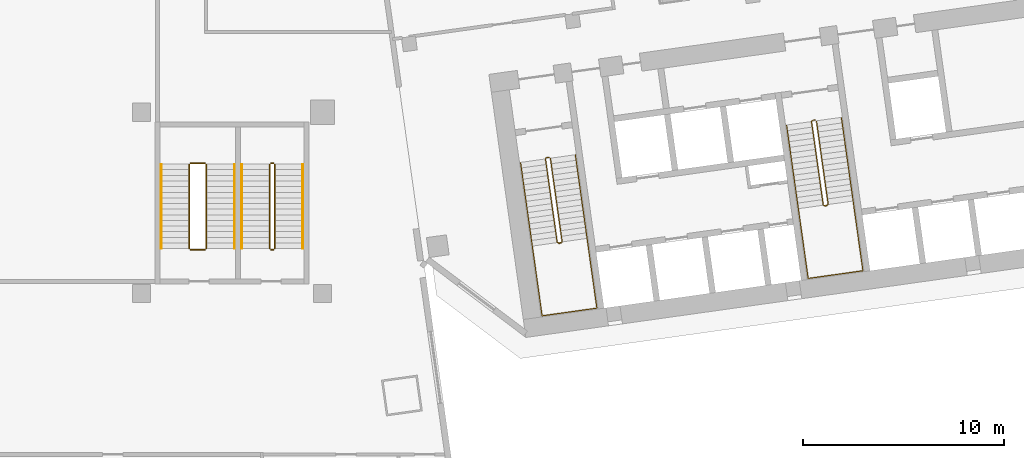
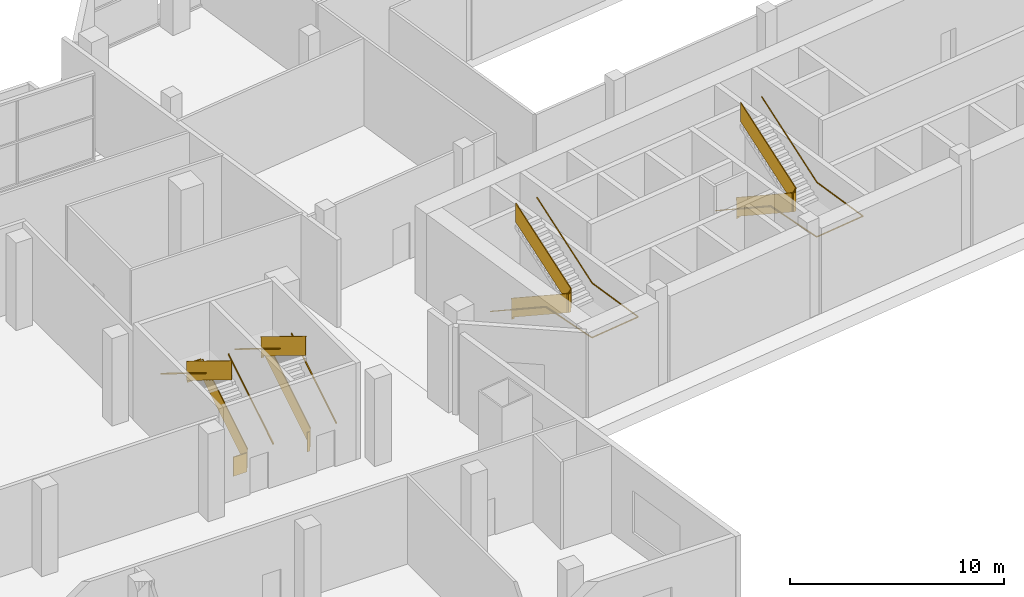
# One storey, part 22 of 23: 16 railings.
"""IFC4 building model written with IfcOpenShell, lengths in metres."""

import ifcopenshell
import ifcopenshell.guid

model = None  # the IFC model being written
_history = None  # IfcOwnerHistory: only IFC2X3 demands one
_inside = {}  # id of a spatial element -> (the spatial element, [elements in it])
_under = {}  # id of a project, library or spatial element -> (it, [spatial elements below it])
_declared = {}  # id of a project -> (the project, [libraries it declares])
_typed = {}  # id of a type object -> (the type object, [elements of that type])
_made_of = {}  # id of a material, layer set ... -> (it, [elements and type objects made of it])


def new_model(schema):
    """Start an empty IFC model of exactly this schema.

    Asked for "IFC4X3", IfcOpenShell would pick the latest addendum, in which some entities
    have other attributes; the version numbers below select the first issue.
    IFC2X3 requires an IfcOwnerHistory on every rooted entity: one is made here for all.
    """
    global model, _history
    if schema == "IFC4X3":
        model = ifcopenshell.file(schema_version=(4, 3, 0, 0))
    else:
        model = ifcopenshell.file(schema=schema)
    _inside.clear()
    _under.clear()
    _declared.clear()
    _typed.clear()
    _made_of.clear()
    _history = None
    if model.schema == "IFC2X3":
        org = make("IfcOrganization", Name="unknown")
        user = make(
            "IfcPersonAndOrganization",
            ThePerson=make("IfcPerson", FamilyName="unknown"),
            TheOrganization=org,
        )
        app = make(
            "IfcApplication",
            ApplicationDeveloper=org,
            Version="unknown",
            ApplicationFullName="unknown",
            ApplicationIdentifier="unknown",
        )
        _history = make(
            "IfcOwnerHistory",
            OwningUser=user,
            OwningApplication=app,
            ChangeAction="ADDED",
            CreationDate=0,
        )
    return model


def make(cls, **values):
    """One entity of the class cls with the attributes given. An attribute that is None is left unset."""
    return model.create_entity(
        cls, **{name: value for name, value in values.items() if value is not None}
    )


def rooted(cls, **values):
    """An entity with a GlobalId (a new one), such as an element, a storey or a relation."""
    return make(cls, GlobalId=ifcopenshell.guid.new(), OwnerHistory=_history, **values)


def si_unit(unit_type, name, prefix=None):
    """IfcSIUnit, for example si_unit("LENGTHUNIT", "METRE", prefix="MILLI")."""
    return make("IfcSIUnit", UnitType=unit_type, Prefix=prefix, Name=name)


def assignment(units):
    """IfcUnitAssignment: the units of a project."""
    return None if units is None else make("IfcUnitAssignment", Units=units)


def point(xyz):
    """IfcCartesianPoint."""
    return None if xyz is None else make("IfcCartesianPoint", Coordinates=xyz)


def direction(xyz):
    """IfcDirection."""
    return None if xyz is None else make("IfcDirection", DirectionRatios=xyz)


def frame(location, z_axis=None, x_axis=None):
    """IfcAxis2Placement3D, a coordinate frame: its origin and axes. An axis left out is left unset."""
    return make(
        "IfcAxis2Placement3D",
        Location=point(location),
        Axis=direction(z_axis),
        RefDirection=direction(x_axis),
    )


def frame_2d(location, x_axis=None):
    """IfcAxis2Placement2D, a coordinate frame in the plane: its origin and x axis."""
    return make(
        "IfcAxis2Placement2D", Location=point(location), RefDirection=direction(x_axis)
    )


def origin():
    """The frame at (0, 0, 0) with its axes left unset."""
    return frame((0.0, 0.0, 0.0))


def origin_2d():
    """The frame at (0, 0) in the plane with its x axis left unset."""
    return frame_2d((0.0, 0.0))


def place(relative_to, where):
    """IfcLocalPlacement: puts the frame where relative to a parent placement (None: the world)."""
    return make(
        "IfcLocalPlacement", PlacementRelTo=relative_to, RelativePlacement=where
    )


def context(
    kind, dimensions, precision=None, world=None, true_north=None, identifier=None
):
    """IfcGeometricRepresentationContext, for example the 3D "Model" context."""
    return make(
        "IfcGeometricRepresentationContext",
        ContextIdentifier=identifier,
        ContextType=kind,
        CoordinateSpaceDimension=dimensions,
        Precision=precision,
        WorldCoordinateSystem=world,
        TrueNorth=true_north,
    )


def subcontext(parent, identifier, kind, view, scale=None):
    """IfcGeometricRepresentationSubContext, for example "Body" below "Model"."""
    return make(
        "IfcGeometricRepresentationSubContext",
        ContextIdentifier=identifier,
        ContextType=kind,
        ParentContext=parent,
        TargetScale=scale,
        TargetView=view,
    )


def project(units=None, contexts=None):
    """IfcProject with its units and contexts."""
    return rooted(
        "IfcProject",
        Name="project",
        RepresentationContexts=contexts,
        UnitsInContext=assignment(units),
    )


def spatial(cls, under=None, at=None, **own):
    """A site, building, storey or space (cls), placed at a placement, below another one or the project."""
    s = rooted(cls, ObjectPlacement=at, **own)
    if under is not None:
        _under.setdefault(under.id(), (under, []))[1].append(s)
    return s


def profile(cls, at=None, kind="AREA", **sizes):
    """A parametric profile (cls). Its sizes go by their IFC names, for example OverallWidth=200.0."""
    return make(cls, ProfileType=kind, Position=at, **sizes)


def rectangle(**sizes):
    """IfcRectangleProfileDef."""
    return profile("IfcRectangleProfileDef", **sizes)


def extrude(swept, where, along, depth):
    """IfcExtrudedAreaSolid: the profile swept, set in the frame where, extruded along a direction by depth."""
    return make(
        "IfcExtrudedAreaSolid",
        SweptArea=swept,
        Position=where,
        ExtrudedDirection=direction(along),
        Depth=depth,
    )


def shape(context_of_items, identifier, shape_type, items):
    """IfcShapeRepresentation: the items that make up one representation, for example the "Body"."""
    return make(
        "IfcShapeRepresentation",
        ContextOfItems=context_of_items,
        RepresentationIdentifier=identifier,
        RepresentationType=shape_type,
        Items=items,
    )


def material(Name=None, Category=None):
    """IfcMaterial."""
    return make("IfcMaterial", Name=Name, Category=Category)


def made_of(thing, what):
    """Note that an element or type object is made of a material, layer set ...; save() writes the relation."""
    if what is not None:
        _made_of.setdefault(what.id(), (what, []))[1].append(thing)
    return thing


def type_object(cls, material=None, **own):
    """A type object (cls), such as IfcWallType, which elements share."""
    return made_of(rooted(cls, **own), material)


def element(
    cls,
    number,
    at=None,
    inside=None,
    cuts=None,
    type_object=None,
    material=None,
    context=None,
    identifier="Body",
    shape_type=None,
    held_by="IfcProductDefinitionShape",
    body=None,
    shapes=None,
    **own,
):
    """One element of the class cls, such as IfcWall. Its Tag is "e" and its number.

    at: its placement. inside: the storey or other place that contains it. cuts: it is an
    opening in that element (IfcRelVoidsElement). A single representation is given by context,
    identifier, shape_type and body (its items); several are given by shapes. held_by: the class
    of the entity that holds the representations. save() writes the other relations.
    """
    e = rooted(cls, Tag="e%d" % number, ObjectPlacement=at, **own)
    if body is not None:
        shapes = [shape(context, identifier, shape_type, body)]
    if shapes is not None:
        e.Representation = make(held_by, Representations=shapes)
    if inside is not None:
        _inside.setdefault(inside.id(), (inside, []))[1].append(e)
    if cuts is not None:
        rooted(
            "IfcRelVoidsElement", RelatingBuildingElement=cuts, RelatedOpeningElement=e
        )
    if type_object is not None:
        _typed.setdefault(type_object.id(), (type_object, []))[1].append(e)
    return made_of(e, material)


def aggregate(whole, parts):
    """IfcRelAggregates: a whole, such as a stair, and the parts it consists of."""
    return rooted("IfcRelAggregates", RelatingObject=whole, RelatedObjects=parts)


def save(model, path):
    """Write the relations noted so far, then the file.

    IfcRelAggregates (storeys below a building ...), IfcRelContainedInSpatialStructure (elements
    in a storey), IfcRelDefinesByType, IfcRelAssociatesMaterial and IfcRelDeclares: one each for
    every whole, place, type object, material and project.
    """
    for whole, parts in _under.values():
        aggregate(whole, parts)
    for where, things in _inside.values():
        rooted(
            "IfcRelContainedInSpatialStructure",
            RelatedElements=things,
            RelatingStructure=where,
        )
    for kind, things in _typed.values():
        rooted("IfcRelDefinesByType", RelatedObjects=things, RelatingType=kind)
    for what, things in _made_of.values():
        rooted("IfcRelAssociatesMaterial", RelatedObjects=things, RelatingMaterial=what)
    for by, libraries in _declared.values():
        rooted("IfcRelDeclares", RelatingContext=by, RelatedDefinitions=libraries)
    model.write(path)


model = new_model("IFC4")

# Units and contexts
model_context = context("Model", 3, precision=1e-05, world=origin(), true_north=direction((0.0, 1.0)))
body_context = subcontext(model_context, "Body", "Model", "MODEL_VIEW")
ifc_project = project(units=[si_unit("LENGTHUNIT", "METRE"), si_unit("AREAUNIT", "SQUARE_METRE"), si_unit("VOLUMEUNIT", "CUBIC_METRE"), si_unit("PLANEANGLEUNIT", "RADIAN"), si_unit("MASSUNIT", "GRAM", prefix="KILO")], contexts=[model_context])

# Site, building, storey
site_placement = place(None, origin())
site = spatial("IfcSite", under=ifc_project, at=site_placement, CompositionType="ELEMENT")
building_placement = place(site_placement, origin())
building = spatial("IfcBuilding", under=site, at=building_placement, Name="Mirante Cascada Hotel Towers", CompositionType="ELEMENT")
storey_placement = place(building_placement, frame((0.0, 0.0, 29.0)))
storey = spatial("IfcBuildingStorey", under=building, at=storey_placement, Name="L04", CompositionType="ELEMENT", Elevation=29.0)

# Railings
ifc_material_1 = material(Name="Painted steel", Category="steel")
railing_type_1 = type_object("IfcRailingType", Name="Podium stair guard 1100 steel balustrade", PredefinedType="GUARDRAIL", material=ifc_material_1)
railing_1_placement = place(storey_placement, frame((24.625, -15.775, 0.1719)))
element("IfcRailing", 1, at=railing_1_placement, inside=storey, type_object=railing_type_1, Name="L04 PS2 stair guard 1", PredefinedType="GUARDRAIL", context=body_context, shape_type="SweptSolid", body=[
    extrude(rectangle(XDim=0.048, YDim=0.048, at=origin_2d()), frame((0.0, 0.0, 1.076), z_axis=(0.0, 1.0, 0.0), x_axis=(-1.0, 0.0, 0.0)), (0.0, 0.5231382, 0.8522479), 4.9281),
    extrude(rectangle(XDim=0.02, YDim=1.052, at=origin_2d()), frame((0.0, 0.0, 0.526), z_axis=(0.0, 1.0, 0.0), x_axis=(-1.0, 0.0, 0.0)), (0.0, 0.5231382, 0.8522479), 4.9281),
])
railing_2_placement = place(storey_placement, frame((24.575, -11.525, 2.75)))
element("IfcRailing", 2, at=railing_2_placement, inside=storey, type_object=railing_type_1, Name="L04 PS2 stair guard 2", PredefinedType="GUARDRAIL", context=body_context, shape_type="SweptSolid", body=[
    extrude(rectangle(XDim=0.048, YDim=0.048, at=origin_2d()), frame((0.0, 0.0, 1.076), z_axis=(-1.0, 0.0, 0.0), x_axis=(0.0, -1.0, 0.0)), (0.0, 0.0, 1.0), 0.15),
    extrude(rectangle(XDim=0.02, YDim=1.052, at=origin_2d()), frame((0.0, 0.0, 0.526), z_axis=(-1.0, 0.0, 0.0), x_axis=(0.0, -1.0, 0.0)), (0.0, 0.0, 1.0), 0.15),
])
railing_3_placement = place(storey_placement, frame((24.375, -11.575, 2.9219)))
element("IfcRailing", 3, at=railing_3_placement, inside=storey, type_object=railing_type_1, Name="L04 PS2 stair guard 3", PredefinedType="GUARDRAIL", context=body_context, shape_type="SweptSolid", body=[
    extrude(rectangle(XDim=0.048, YDim=0.048, at=origin_2d()), frame((0.0, 0.0, 1.076), z_axis=(0.0, -1.0, 0.0), x_axis=(1.0, 0.0, 0.0)), (0.0, 0.5231382, 0.8522479), 4.9281),
    extrude(rectangle(XDim=0.02, YDim=1.052, at=origin_2d()), frame((0.0, 0.0, 0.526), z_axis=(0.0, -1.0, 0.0), x_axis=(1.0, 0.0, 0.0)), (0.0, 0.5231382, 0.8522479), 4.9281),
])
railing_4_placement = place(storey_placement, frame((24.575, -15.825, 0.0)))
element("IfcRailing", 4, at=railing_4_placement, inside=storey, type_object=railing_type_1, Name="L04 PS2 stair guard 4", PredefinedType="GUARDRAIL", context=body_context, shape_type="SweptSolid", body=[
    extrude(rectangle(XDim=0.048, YDim=0.048, at=origin_2d()), frame((0.0, 0.0, 1.076), z_axis=(-1.0, 0.0, 0.0), x_axis=(0.0, -1.0, 0.0)), (0.0, 0.0, 1.0), 0.15),
    extrude(rectangle(XDim=0.02, YDim=1.052, at=origin_2d()), frame((0.0, 0.0, 0.526), z_axis=(-1.0, 0.0, 0.0), x_axis=(0.0, -1.0, 0.0)), (0.0, 0.0, 1.0), 0.15),
])
railing_5_placement = place(storey_placement, frame((21.225, -15.775, 0.1719)))
element("IfcRailing", 5, at=railing_5_placement, inside=storey, type_object=railing_type_1, Name="L04 PS4 stair guard 1", PredefinedType="GUARDRAIL", context=body_context, shape_type="SweptSolid", body=[
    extrude(rectangle(XDim=0.048, YDim=0.048, at=origin_2d()), frame((0.0, 0.0, 1.076), z_axis=(0.0, 1.0, 0.0), x_axis=(-1.0, 0.0, 0.0)), (0.0, 0.5231382, 0.8522479), 4.9281),
    extrude(rectangle(XDim=0.02, YDim=1.052, at=origin_2d()), frame((0.0, 0.0, 0.526), z_axis=(0.0, 1.0, 0.0), x_axis=(-1.0, 0.0, 0.0)), (0.0, 0.5231382, 0.8522479), 4.9281),
])
railing_6_placement = place(storey_placement, frame((21.175, -11.525, 2.75)))
element("IfcRailing", 6, at=railing_6_placement, inside=storey, type_object=railing_type_1, Name="L04 PS4 stair guard 2", PredefinedType="GUARDRAIL", context=body_context, shape_type="SweptSolid", body=[
    extrude(rectangle(XDim=0.048, YDim=0.048, at=origin_2d()), frame((0.0, 0.0, 1.076), z_axis=(-1.0, 0.0, 0.0), x_axis=(0.0, -1.0, 0.0)), (0.0, 0.0, 1.0), 0.75),
    extrude(rectangle(XDim=0.02, YDim=1.052, at=origin_2d()), frame((0.0, 0.0, 0.526), z_axis=(-1.0, 0.0, 0.0), x_axis=(0.0, -1.0, 0.0)), (0.0, 0.0, 1.0), 0.75),
])
railing_7_placement = place(storey_placement, frame((20.375, -11.575, 2.9219)))
element("IfcRailing", 7, at=railing_7_placement, inside=storey, type_object=railing_type_1, Name="L04 PS4 stair guard 3", PredefinedType="GUARDRAIL", context=body_context, shape_type="SweptSolid", body=[
    extrude(rectangle(XDim=0.048, YDim=0.048, at=origin_2d()), frame((0.0, 0.0, 1.076), z_axis=(0.0, -1.0, 0.0), x_axis=(1.0, 0.0, 0.0)), (0.0, 0.5231382, 0.8522479), 4.9281),
    extrude(rectangle(XDim=0.02, YDim=1.052, at=origin_2d()), frame((0.0, 0.0, 0.526), z_axis=(0.0, -1.0, 0.0), x_axis=(1.0, 0.0, 0.0)), (0.0, 0.5231382, 0.8522479), 4.9281),
])
railing_8_placement = place(storey_placement, frame((21.175, -15.825, 0.0)))
element("IfcRailing", 8, at=railing_8_placement, inside=storey, type_object=railing_type_1, Name="L04 PS4 stair guard 4", PredefinedType="GUARDRAIL", context=body_context, shape_type="SweptSolid", body=[
    extrude(rectangle(XDim=0.048, YDim=0.048, at=origin_2d()), frame((0.0, 0.0, 1.076), z_axis=(-1.0, 0.0, 0.0), x_axis=(0.0, -1.0, 0.0)), (0.0, 0.0, 1.0), 0.75),
    extrude(rectangle(XDim=0.02, YDim=1.052, at=origin_2d()), frame((0.0, 0.0, 0.526), z_axis=(-1.0, 0.0, 0.0), x_axis=(0.0, -1.0, 0.0)), (0.0, 0.0, 1.0), 0.75),
])
ifc_material_2 = material(Name="Painted steel", Category="steel")
railing_type_2 = type_object("IfcRailingType", Name="Podium stair handrail 900 steel tube", PredefinedType="HANDRAIL", material=ifc_material_2)
railing_9_placement = place(storey_placement, frame((26.025, -15.775, 0.1719)))
element("IfcRailing", 9, at=railing_9_placement, inside=storey, type_object=railing_type_2, Name="L04 PS2 stair handrail 1", PredefinedType="HANDRAIL", context=body_context, shape_type="SweptSolid", body=[
    extrude(rectangle(XDim=0.048, YDim=0.048, at=origin_2d()), frame((0.0, 0.0, 0.876), z_axis=(0.0, 1.0, 0.0), x_axis=(-1.0, 0.0, 0.0)), (0.0, 0.5231382, 0.8522479), 4.9281),
])
railing_10_placement = place(storey_placement, frame((22.975, -11.575, 2.9219)))
element("IfcRailing", 10, at=railing_10_placement, inside=storey, type_object=railing_type_2, Name="L04 PS2 stair handrail 2", PredefinedType="HANDRAIL", context=body_context, shape_type="SweptSolid", body=[
    extrude(rectangle(XDim=0.048, YDim=0.048, at=origin_2d()), frame((0.0, 0.0, 0.876), z_axis=(0.0, -1.0, 0.0), x_axis=(1.0, 0.0, 0.0)), (0.0, 0.5231382, 0.8522479), 4.9281),
])
railing_11_placement = place(storey_placement, frame((22.625, -15.775, 0.1719)))
element("IfcRailing", 11, at=railing_11_placement, inside=storey, type_object=railing_type_2, Name="L04 PS4 stair handrail 1", PredefinedType="HANDRAIL", context=body_context, shape_type="SweptSolid", body=[
    extrude(rectangle(XDim=0.048, YDim=0.048, at=origin_2d()), frame((0.0, 0.0, 0.876), z_axis=(0.0, 1.0, 0.0), x_axis=(-1.0, 0.0, 0.0)), (0.0, 0.5231382, 0.8522479), 4.9281),
])
railing_12_placement = place(storey_placement, frame((18.975, -11.575, 2.9219)))
element("IfcRailing", 12, at=railing_12_placement, inside=storey, type_object=railing_type_2, Name="L04 PS4 stair handrail 2", PredefinedType="HANDRAIL", context=body_context, shape_type="SweptSolid", body=[
    extrude(rectangle(XDim=0.048, YDim=0.048, at=origin_2d()), frame((0.0, 0.0, 0.876), z_axis=(0.0, -1.0, 0.0), x_axis=(1.0, 0.0, 0.0)), (0.0, 0.5231382, 0.8522479), 4.9281),
])
ifc_material_3 = material(Name="Painted steel", Category="steel")
railing_type_3 = type_object("IfcRailingType", Name="Stair guard 1100 steel balustrade", PredefinedType="GUARDRAIL", material=ifc_material_3)
railing_13_placement = place(storey_placement, frame((38.2663, -11.2395, 0.0)))
element("IfcRailing", 13, at=railing_13_placement, inside=storey, type_object=railing_type_3, Name="L04 ST2-A stair guard 1", PredefinedType="GUARDRAIL", context=body_context, shape_type="SweptSolid", body=[
    extrude(rectangle(XDim=0.048, YDim=0.048, at=origin_2d()), frame((0.0, 0.0, 1.076), z_axis=(-0.9903326, -0.1387133, 0.0), x_axis=(0.1387133, -0.9903326, 0.0)), (0.0, 0.0, 1.0), 0.1499),
    extrude(rectangle(XDim=0.02, YDim=1.052, at=origin_2d()), frame((0.0, 0.0, 0.526), z_axis=(-0.9903326, -0.1387133, 0.0), x_axis=(0.1387133, -0.9903326, 0.0)), (0.0, 0.0, 1.0), 0.1499),
    extrude(rectangle(XDim=0.048, YDim=0.048, at=origin_2d()), frame((-0.1485, -0.0208, 1.076), z_axis=(-0.6020331, -0.7984711, 0.0), x_axis=(0.7984711, -0.6020331, 0.0)), (0.0, 0.92472, 0.380648), 0.1859),
    extrude(rectangle(XDim=0.02, YDim=1.052, at=origin_2d()), frame((-0.1485, -0.0208, 0.526), z_axis=(-0.6020331, -0.7984711, 0.0), x_axis=(0.7984711, -0.6020331, 0.0)), (0.0, 0.92472, 0.380648), 0.1859),
    extrude(rectangle(XDim=0.048, YDim=0.048, at=origin_2d()), frame((-0.1911, -0.0773, 1.2479), z_axis=(0.139191, -0.9902656, 0.0), x_axis=(0.9902656, 0.139191, 0.0)), (0.0, 0.5231396, 0.852247), 4.9281),
    extrude(rectangle(XDim=0.02, YDim=1.052, at=origin_2d()), frame((-0.1911, -0.0773, 0.6979), z_axis=(0.139191, -0.9902656, 0.0), x_axis=(0.9902656, 0.139191, 0.0)), (0.0, 0.5231396, 0.852247), 4.9281),
    extrude(rectangle(XDim=0.048, YDim=0.048, at=origin_2d()), frame((0.3935, -4.2364, 3.826), z_axis=(0.9944441, -0.1052656, 0.0), x_axis=(0.1052656, 0.9944441, 0.0)), (0.0, 0.0, 1.0), 0.2061),
    extrude(rectangle(XDim=0.02, YDim=1.052, at=origin_2d()), frame((0.3935, -4.2364, 3.276), z_axis=(0.9944441, -0.1052656, 0.0), x_axis=(0.1052656, 0.9944441, 0.0)), (0.0, 0.0, 1.0), 0.2061),
    extrude(rectangle(XDim=0.048, YDim=0.048, at=origin_2d()), frame((0.5985, -4.2581, 3.826), z_axis=(-0.9902537, -0.1392753, 0.0), x_axis=(0.1392753, -0.9902537, 0.0)), (0.0, 0.0, 1.0), 0.1501),
    extrude(rectangle(XDim=0.02, YDim=1.052, at=origin_2d()), frame((0.5985, -4.2581, 3.276), z_axis=(-0.9902537, -0.1392753, 0.0), x_axis=(0.1392753, -0.9902537, 0.0)), (0.0, 0.0, 1.0), 0.1501),
    extrude(rectangle(XDim=0.048, YDim=0.048, at=origin_2d()), frame((0.4499, -4.279, 3.826), z_axis=(0.9268624, 0.3754011, 0.0), x_axis=(-0.3754011, 0.9268624, 0.0)), (0.0, 0.6403686, 0.7680678), 0.2684),
    extrude(rectangle(XDim=0.02, YDim=1.052, at=origin_2d()), frame((0.4499, -4.279, 3.276), z_axis=(0.9268624, 0.3754011, 0.0), x_axis=(-0.3754011, 0.9268624, 0.0)), (0.0, 0.6403686, 0.7680678), 0.2684),
    extrude(rectangle(XDim=0.048, YDim=0.048, at=origin_2d()), frame((0.641, -4.2016, 3.9979), z_axis=(-0.1391676, 0.9902688, 0.0), x_axis=(-0.9902688, -0.1391676, 0.0)), (0.0, 0.5231408, 0.8522463), 4.9281),
    extrude(rectangle(XDim=0.02, YDim=1.052, at=origin_2d()), frame((0.641, -4.2016, 3.4479), z_axis=(-0.1391676, 0.9902688, 0.0), x_axis=(-0.9902688, -0.1391676, 0.0)), (0.0, 0.5231408, 0.8522463), 4.9281),
])
railing_14_placement = place(storey_placement, frame((51.4864, -9.3815, 0.0)))
element("IfcRailing", 14, at=railing_14_placement, inside=storey, type_object=railing_type_3, Name="L04 ST2-B stair guard 1", PredefinedType="GUARDRAIL", context=body_context, shape_type="SweptSolid", body=[
    extrude(rectangle(XDim=0.048, YDim=0.048, at=origin_2d()), frame((0.0, 0.0, 1.076), z_axis=(-0.9902408, -0.1393672, 0.0), x_axis=(0.1393672, -0.9902408, 0.0)), (0.0, 0.0, 1.0), 0.15),
    extrude(rectangle(XDim=0.02, YDim=1.052, at=origin_2d()), frame((0.0, 0.0, 0.526), z_axis=(-0.9902408, -0.1393672, 0.0), x_axis=(0.1393672, -0.9902408, 0.0)), (0.0, 0.0, 1.0), 0.15),
    extrude(rectangle(XDim=0.048, YDim=0.048, at=origin_2d()), frame((-0.1485, -0.0209, 1.076), z_axis=(-0.6020331, -0.7984711, 0.0), x_axis=(0.7984711, -0.6020331, 0.0)), (0.0, 0.92472, 0.380648), 0.1859),
    extrude(rectangle(XDim=0.02, YDim=1.052, at=origin_2d()), frame((-0.1485, -0.0209, 0.526), z_axis=(-0.6020331, -0.7984711, 0.0), x_axis=(0.7984711, -0.6020331, 0.0)), (0.0, 0.92472, 0.380648), 0.1859),
    extrude(rectangle(XDim=0.048, YDim=0.048, at=origin_2d()), frame((-0.1911, -0.0774, 1.2479), z_axis=(0.1391676, -0.9902688, 0.0), x_axis=(0.9902688, 0.1391676, 0.0)), (0.0, 0.5231408, 0.8522463), 4.9281),
    extrude(rectangle(XDim=0.02, YDim=1.052, at=origin_2d()), frame((-0.1911, -0.0774, 0.6979), z_axis=(0.1391676, -0.9902688, 0.0), x_axis=(0.9902688, 0.1391676, 0.0)), (0.0, 0.5231408, 0.8522463), 4.9281),
    extrude(rectangle(XDim=0.048, YDim=0.048, at=origin_2d()), frame((0.3934, -4.2365, 3.826), z_axis=(0.9944495, -0.1052148, 0.0), x_axis=(0.1052148, 0.9944495, 0.0)), (0.0, 0.0, 1.0), 0.2062),
    extrude(rectangle(XDim=0.02, YDim=1.052, at=origin_2d()), frame((0.3934, -4.2365, 3.276), z_axis=(0.9944495, -0.1052148, 0.0), x_axis=(0.1052148, 0.9944495, 0.0)), (0.0, 0.0, 1.0), 0.2062),
    extrude(rectangle(XDim=0.048, YDim=0.048, at=origin_2d()), frame((0.5985, -4.2582, 3.826), z_axis=(-0.9903454, -0.1386217, 0.0), x_axis=(0.1386217, -0.9903454, 0.0)), (0.0, 0.0, 1.0), 0.15),
    extrude(rectangle(XDim=0.02, YDim=1.052, at=origin_2d()), frame((0.5985, -4.2582, 3.276), z_axis=(-0.9903454, -0.1386217, 0.0), x_axis=(0.1386217, -0.9903454, 0.0)), (0.0, 0.0, 1.0), 0.15),
    extrude(rectangle(XDim=0.048, YDim=0.048, at=origin_2d()), frame((0.4499, -4.279, 3.826), z_axis=(0.9270311, 0.3749843, 0.0), x_axis=(-0.3749843, 0.9270311, 0.0)), (0.0, 0.6404373, 0.7680104), 0.2684),
    extrude(rectangle(XDim=0.02, YDim=1.052, at=origin_2d()), frame((0.4499, -4.279, 3.276), z_axis=(0.9270311, 0.3749843, 0.0), x_axis=(-0.3749843, 0.9270311, 0.0)), (0.0, 0.6404373, 0.7680104), 0.2684),
    extrude(rectangle(XDim=0.048, YDim=0.048, at=origin_2d()), frame((0.641, -4.2017, 3.9979), z_axis=(-0.1391676, 0.9902688, 0.0), x_axis=(-0.9902688, -0.1391676, 0.0)), (0.0, 0.5231408, 0.8522463), 4.9281),
    extrude(rectangle(XDim=0.02, YDim=1.052, at=origin_2d()), frame((0.641, -4.2017, 3.4479), z_axis=(-0.1391676, 0.9902688, 0.0), x_axis=(-0.9902688, -0.1391676, 0.0)), (0.0, 0.5231408, 0.8522463), 4.9281),
])
ifc_material_4 = material(Name="Painted steel", Category="steel")
railing_type_4 = type_object("IfcRailingType", Name="Stair handrail 900 steel tube", PredefinedType="HANDRAIL", material=ifc_material_4)
railing_15_placement = place(storey_placement, frame((36.8374, -11.4908, 0.1719)))
element("IfcRailing", 15, at=railing_15_placement, inside=storey, type_object=railing_type_4, Name="L04 ST2-A stair handrail 1", PredefinedType="HANDRAIL", context=body_context, shape_type="SweptSolid", body=[
    extrude(rectangle(XDim=0.048, YDim=0.048, at=origin_2d()), frame((0.0, 0.0, 0.876), z_axis=(0.1391676, -0.9902688, 0.0), x_axis=(0.9902688, 0.1391676, 0.0)), (0.0, 0.5231408, 0.8522463), 4.9281),
    extrude(rectangle(XDim=0.048, YDim=0.048, at=origin_2d()), frame((0.5844, -4.1581, 3.4541), z_axis=(0.139173, -0.9902681, 0.0), x_axis=(0.9902681, 0.139173, 0.0)), (0.0, 0.0490557, 0.998796), 3.5052),
    extrude(rectangle(XDim=0.048, YDim=0.048, at=origin_2d()), frame((1.0716, -7.625, 3.626), z_axis=(0.9902698, 0.1391607, 0.0), x_axis=(-0.1391607, 0.9902698, 0.0)), (0.0, 0.0, 1.0), 2.7501),
    extrude(rectangle(XDim=0.048, YDim=0.048, at=origin_2d()), frame((3.7949, -7.2423, 3.626), z_axis=(-0.139173, 0.9902681, 0.0), x_axis=(-0.9902681, -0.139173, 0.0)), (0.0, 0.0, 1.0), 3.5),
    extrude(rectangle(XDim=0.048, YDim=0.048, at=origin_2d()), frame((3.3079, -3.7772, 3.6255), z_axis=(-0.139191, 0.9902656, 0.0), x_axis=(-0.9902656, -0.139191, 0.0)), (0.0, 0.5231396, 0.852247), 4.9291),
])
railing_16_placement = place(storey_placement, frame((50.0575, -9.6328, 0.1719)))
element("IfcRailing", 16, at=railing_16_placement, inside=storey, type_object=railing_type_4, Name="L04 ST2-B stair handrail 1", PredefinedType="HANDRAIL", context=body_context, shape_type="SweptSolid", body=[
    extrude(rectangle(XDim=0.048, YDim=0.048, at=origin_2d()), frame((0.0, 0.0, 0.876), z_axis=(0.1391676, -0.9902688, 0.0), x_axis=(0.9902688, 0.1391676, 0.0)), (0.0, 0.5231408, 0.8522463), 4.9281),
    extrude(rectangle(XDim=0.048, YDim=0.048, at=origin_2d()), frame((0.5844, -4.1581, 3.4541), z_axis=(0.139169, -0.9902686, 0.0), x_axis=(0.9902686, 0.139169, 0.0)), (0.0, 0.0490543, 0.9987961), 3.5053),
    extrude(rectangle(XDim=0.048, YDim=0.048, at=origin_2d()), frame((1.0716, -7.6251, 3.626), z_axis=(0.9902698, 0.1391607, 0.0), x_axis=(-0.1391607, 0.9902698, 0.0)), (0.0, 0.0, 1.0), 2.7501),
    extrude(rectangle(XDim=0.048, YDim=0.048, at=origin_2d()), frame((3.7949, -7.2424, 3.626), z_axis=(-0.139197, 0.9902647, 0.0), x_axis=(-0.9902647, -0.139197, 0.0)), (0.0, 0.0, 1.0), 3.5001),
    extrude(rectangle(XDim=0.048, YDim=0.048, at=origin_2d()), frame((3.3078, -3.7772, 3.6255), z_axis=(-0.1391676, 0.9902688, 0.0), x_axis=(-0.9902688, -0.1391676, 0.0)), (0.0, 0.5231408, 0.8522463), 4.9291),
])

save(model, "model.ifc")
